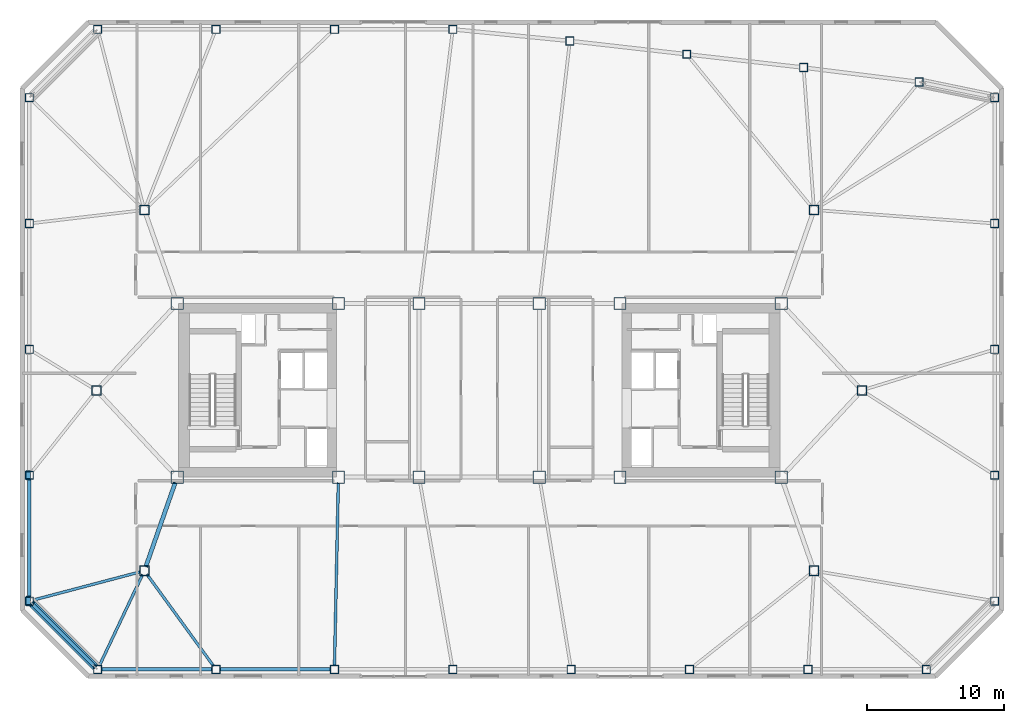
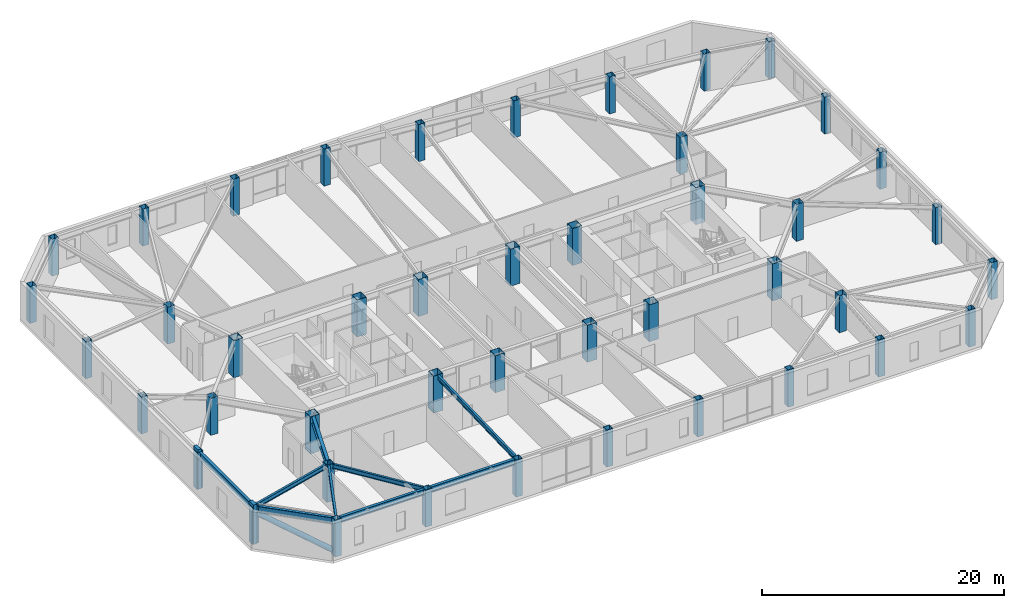
# One storey, part 1 of 18: 44 columns, 9 beams, 3 members.
"""IFC4 building model written with IfcOpenShell, lengths in metres."""

from ifc_helpers import new_model, si_unit, direction, frame, origin, origin_2d, place, context, subcontext, project, spatial, rectangle, hollow_rectangle, hollow_circle, i_section, extrude, material, material_profile, profile_set, type_object, element, save


model = new_model("IFC4")

# Units and contexts
model_context = context("Model", 3, precision=1e-05, world=origin(), true_north=direction((0.0, 1.0)))
body_context = subcontext(model_context, "Body", "Model", "MODEL_VIEW")
ifc_project = project(units=[si_unit("LENGTHUNIT", "METRE"), si_unit("AREAUNIT", "SQUARE_METRE"), si_unit("VOLUMEUNIT", "CUBIC_METRE"), si_unit("PLANEANGLEUNIT", "RADIAN"), si_unit("MASSUNIT", "GRAM", prefix="KILO")], contexts=[model_context])

# Site, building, storey
site_placement = place(None, origin())
site = spatial("IfcSite", under=ifc_project, at=site_placement, CompositionType="ELEMENT")
building_placement = place(site_placement, origin())
building = spatial("IfcBuilding", under=site, at=building_placement, Name="Tavrogorsk Clinical Tower", CompositionType="ELEMENT")
storey_placement = place(building_placement, frame((0.0, 0.0, 192.199951171875)))
storey = spatial("IfcBuildingStorey", under=building, at=storey_placement, Name="L44", CompositionType="ELEMENT", Elevation=192.199951171875)

# Columns
ifc_material_1 = material(Name="Structural steel S440", Category="steel")
ifc_material_profile_1 = material_profile(ifc_material_1, hollow_rectangle(XDim=0.699951171875, YDim=0.699951171875, WallThickness=0.031982421875, at=origin_2d()), Name="BOX-700x700x32")
ifc_profile_set_1 = profile_set([ifc_material_profile_1], Name="Structural steel S440")
column_type_1 = type_object("IfcColumnType", Name="MegaCol_BOX700", PredefinedType="COLUMN", material=ifc_profile_set_1)
for number, where, z_axis, x_axis, name in (
    (1, (-24.5, -13.199951171875, 0.0), (0.0, 0.0, 1.0), (1.0, 0.0, 0.0), "L44 Spine Pilotis Column MC-P1"),
    (2, (24.5, -13.199951171875, 0.0), (0.0, 0.0, 1.0), (1.0, 0.0, 0.0), "L44 Spine Pilotis Column MC-P2"),
    (3, (-24.5, 13.199951171875, 0.0), (0.0, 0.0, 1.0), (1.0, 0.0, 0.0), "L44 Spine Pilotis Column MC-P3"),
    (4, (24.5, 13.199951171875, 0.0), (0.0, 0.0, 1.0), (1.0, 0.0, 0.0), "L44 Spine Pilotis Column MC-P4"),
    (5, (-28.0, 0.0, 0.0), (0.0, 0.0, 1.0), (1.0, 0.0, 0.0), "L44 Spine Pilotis Column MC-P5"),
    (6, (28.0, 0.0, 0.0), (0.0, 0.0, 1.0), (1.0, 0.0, 0.0), "L44 Spine Pilotis Column MC-P6"),
):
    element("IfcColumn", number, at=place(storey_placement, frame(where, z_axis=z_axis, x_axis=x_axis)), inside=storey, type_object=column_type_1, Name=name, PredefinedType="COLUMN", context=body_context, shape_type="SweptSolid", body=[
        extrude(hollow_rectangle(XDim=0.699951171875, YDim=0.699951171875, WallThickness=0.031982421875, at=origin_2d()), origin(), (0.0, 0.0, 1.0), 3.739990234375),
    ])
ifc_material_2 = material(Name="Structural steel S440", Category="steel")
ifc_material_profile_2 = material_profile(ifc_material_2, hollow_rectangle(XDim=0.89990234375, YDim=0.89990234375, WallThickness=0.0400390625, at=origin_2d()), Name="BOX-900x900x40")
ifc_profile_set_2 = profile_set([ifc_material_profile_2], Name="Structural steel S440")
column_type_2 = type_object("IfcColumnType", Name="MegaCol_BOX900", PredefinedType="COLUMN", material=ifc_profile_set_2)
for number, where, z_axis, x_axis, name in (
    (7, (-22.10009765625, -6.35009765625, 0.0), (0.0, 0.0, 1.0), (1.0, 0.0, 0.0), "L44 Mega Column MC-W1"),
    (8, (-22.10009765625, 6.35009765625, 0.0), (0.0, 0.0, 1.0), (1.0, 0.0, 0.0), "L44 Mega Column MC-W2"),
    (9, (-10.300048828125, -6.35009765625, 0.0), (0.0, 0.0, 1.0), (1.0, 0.0, 0.0), "L44 Mega Column MC-W3"),
    (10, (-10.300048828125, 6.35009765625, 0.0), (0.0, 0.0, 1.0), (1.0, 0.0, 0.0), "L44 Mega Column MC-W4"),
    (11, (10.300048828125, -6.35009765625, 0.0), (0.0, 0.0, 1.0), (1.0, 0.0, 0.0), "L44 Mega Column MC-E1"),
    (12, (10.300048828125, 6.35009765625, 0.0), (0.0, 0.0, 1.0), (1.0, 0.0, 0.0), "L44 Mega Column MC-E2"),
    (13, (22.10009765625, -6.35009765625, 0.0), (0.0, 0.0, 1.0), (1.0, 0.0, 0.0), "L44 Mega Column MC-E3"),
    (14, (22.10009765625, 6.35009765625, 0.0), (0.0, 0.0, 1.0), (1.0, 0.0, 0.0), "L44 Mega Column MC-E4"),
    (15, (-4.39990234375, -6.35009765625, 0.0), (0.0, 0.0, 1.0), (1.0, 0.0, 0.0), "L44 Mega Column MC-C1"),
    (16, (4.39990234375, -6.35009765625, 0.0), (0.0, 0.0, 1.0), (1.0, 0.0, 0.0), "L44 Mega Column MC-C2"),
    (17, (-4.39990234375, 6.35009765625, 0.0), (0.0, 0.0, 1.0), (1.0, 0.0, 0.0), "L44 Mega Column MC-C3"),
    (18, (4.39990234375, 6.35009765625, 0.0), (0.0, 0.0, 1.0), (1.0, 0.0, 0.0), "L44 Mega Column MC-C4"),
):
    element("IfcColumn", number, at=place(storey_placement, frame(where, z_axis=z_axis, x_axis=x_axis)), inside=storey, type_object=column_type_2, Name=name, PredefinedType="COLUMN", context=body_context, shape_type="SweptSolid", body=[
        extrude(hollow_rectangle(XDim=0.89990234375, YDim=0.89990234375, WallThickness=0.0400390625, at=origin_2d()), origin(), (0.0, 0.0, 1.0), 3.739990234375),
    ])
ifc_material_3 = material(Name="Structural steel S440", Category="steel")
ifc_material_profile_3 = material_profile(ifc_material_3, hollow_rectangle(XDim=0.60009765625, YDim=0.60009765625, WallThickness=0.028076171875, at=origin_2d()), Name="BOX-600x600x28")
ifc_profile_set_3 = profile_set([ifc_material_profile_3], Name="Structural steel S440")
column_type_3 = type_object("IfcColumnType", Name="PerimCol_B3_BOX600", PredefinedType="COLUMN", material=ifc_profile_set_3)
for number, where, z_axis, x_axis, name in (
    (19, (-27.919921875, -20.419921875, 0.0), (0.0, 0.0, 1.0), (1.0, 0.0, 0.0), "L44 Perimeter Column S1"),
    (20, (-19.257080078125, -20.419921875, 0.0), (0.0, 0.0, 1.0), (1.0, 0.0, 0.0), "L44 Perimeter Column S2"),
    (21, (-10.59423828125, -20.419921875, 0.0), (0.0, 0.0, 1.0), (1.0, 0.0, 0.0), "L44 Perimeter Column S3"),
    (22, (-1.931396484375, -20.419921875, 0.0), (0.0, 0.0, 1.0), (1.0, 0.0, 0.0), "L44 Perimeter Column S4"),
    (23, (6.7314453125, -20.419921875, 0.0), (0.0, 0.0, 1.0), (1.0, 0.0, 0.0), "L44 Perimeter Column S5"),
    (24, (15.394287109375, -20.419921875, 0.0), (0.0, 0.0, 1.0), (1.0, 0.0, 0.0), "L44 Perimeter Column S6"),
    (25, (24.05712890625, -20.419921875, 0.0), (0.0, 0.0, 1.0), (1.0, 0.0, 0.0), "L44 Perimeter Column S7"),
    (26, (32.719970703125, -20.419921875, 0.0), (0.0, 0.0, 1.0), (1.0, 0.0, 0.0), "L44 Perimeter Column S8"),
    (27, (32.19140625, 22.56591796875, 0.0), (0.0, 0.0, 1.0), (1.0, 0.0, 0.0), "L44 Perimeter Column N1"),
    (28, (23.73779296875, 23.617919921875, 0.0), (0.0, 0.0, 1.0), (1.0, 0.0, 0.0), "L44 Perimeter Column N2"),
    (29, (15.18603515625, 24.59228515625, 0.0), (0.0, 0.0, 1.0), (1.0, 0.0, 0.0), "L44 Perimeter Column N3"),
    (30, (6.63427734375, 25.566650390625, 0.0), (0.0, 0.0, 1.0), (1.0, 0.0, 0.0), "L44 Perimeter Column N4"),
    (31, (-1.931396484375, 26.419921875, 0.0), (0.0, 0.0, 1.0), (1.0, 0.0, 0.0), "L44 Perimeter Column N5"),
    (32, (-10.59423828125, 26.419921875, 0.0), (0.0, 0.0, 1.0), (1.0, 0.0, 0.0), "L44 Perimeter Column N6"),
    (33, (-19.257080078125, 26.419921875, 0.0), (0.0, 0.0, 1.0), (1.0, 0.0, 0.0), "L44 Perimeter Column N7"),
    (34, (-27.919921875, 26.419921875, 0.0), (0.0, 0.0, 1.0), (1.0, 0.0, 0.0), "L44 Perimeter Column N8"),
    (35, (37.719970703125, -15.419921875, 0.0), (0.0, 0.0, 1.0), (1.0, 0.0, 0.0), "L44 Perimeter Column E1"),
    (36, (37.719970703125, -6.2099609375, 0.0), (0.0, 0.0, 1.0), (1.0, 0.0, 0.0), "L44 Perimeter Column E2"),
    (37, (37.719970703125, 3.0, 0.0), (0.0, 0.0, 1.0), (1.0, 0.0, 0.0), "L44 Perimeter Column E3"),
    (38, (37.719970703125, 12.2099609375, 0.0), (0.0, 0.0, 1.0), (1.0, 0.0, 0.0), "L44 Perimeter Column E4"),
    (39, (37.719970703125, 21.419921875, 0.0), (0.0, 0.0, 1.0), (1.0, 0.0, 0.0), "L44 Perimeter Column E5"),
    (40, (-32.919921875, 21.419921875, 0.0), (0.0, 0.0, 1.0), (1.0, 0.0, 0.0), "L44 Perimeter Column W1"),
    (41, (-32.919921875, 12.2099609375, 0.0), (0.0, 0.0, 1.0), (1.0, 0.0, 0.0), "L44 Perimeter Column W2"),
    (42, (-32.919921875, 3.0, 0.0), (0.0, 0.0, 1.0), (1.0, 0.0, 0.0), "L44 Perimeter Column W3"),
    (43, (-32.919921875, -6.2099609375, 0.0), (0.0, 0.0, 1.0), (1.0, 0.0, 0.0), "L44 Perimeter Column W4"),
    (44, (-32.919921875, -15.419921875, 0.0), (0.0, 0.0, 1.0), (1.0, 0.0, 0.0), "L44 Perimeter Column W5"),
):
    element("IfcColumn", number, at=place(storey_placement, frame(where, z_axis=z_axis, x_axis=x_axis)), inside=storey, type_object=column_type_3, Name=name, PredefinedType="COLUMN", context=body_context, shape_type="SweptSolid", body=[
        extrude(hollow_rectangle(XDim=0.60009765625, YDim=0.60009765625, WallThickness=0.028076171875, at=origin_2d()), origin(), (0.0, 0.0, 1.0), 3.739990234375),
    ])

# Member
ifc_material_4 = material(Name="Structural steel S440", Category="steel")
ifc_material_profile_4 = material_profile(ifc_material_4, hollow_circle(Radius=0.25390625, WallThickness=0.02001953125, at=origin_2d()), Name="CHS-508x20")
ifc_profile_set_4 = profile_set([ifc_material_profile_4], Name="Structural steel S440")
member_type_1 = type_object("IfcMemberType", Name="ExoBrace_CHS508", PredefinedType="BRACE", material=ifc_profile_set_4)
member_placement = place(storey_placement, frame((-28.12255859375, -20.217529296875, 0.4130859375), z_axis=(-0.657758524103, 0.657758524103, 0.367025132572), x_axis=(-0.707106781187, -0.707106781187, 0.0)))
element("IfcMember", 45, at=member_placement, inside=storey, type_object=member_type_1, Name="L44 Corner Exoskeleton Brace W5-S1", PredefinedType="BRACE", context=body_context, shape_type="SweptSolid", body=[
    extrude(hollow_circle(Radius=0.25390625, WallThickness=0.02001953125, at=origin_2d()), origin(), (0.0, 0.0, 1.0), 6.98583984375),
])

# Beams
ifc_material_5 = material(Name="Structural steel S355", Category="steel")
ifc_material_profile_5 = material_profile(ifc_material_5, i_section(OverallWidth=0.199951171875, OverallDepth=0.449951171875, WebThickness=0.011474609375, FlangeThickness=0.01806640625, at=origin_2d()), Name="B-450x200x11.5x18")
ifc_profile_set_5 = profile_set([ifc_material_profile_5], Name="Structural steel S355")
beam_type_1 = type_object("IfcBeamType", Name="FloorBeam_B450", PredefinedType="BEAM", material=ifc_profile_set_5)
beam_1_placement = place(storey_placement, frame((-24.6328125, -13.480224609375, 3.51513671875), z_axis=(-0.428073530385, -0.90374390874, 0.0), x_axis=(0.90374390874, -0.428073530385, 0.0)))
element("IfcBeam", 46, at=beam_1_placement, inside=storey, type_object=beam_type_1, Name="L44 Radial Floor Beam S1", PredefinedType="BEAM", context=body_context, shape_type="SweptSolid", body=[
    extrude(i_section(OverallWidth=0.199951171875, OverallDepth=0.449951171875, WebThickness=0.011474609375, FlangeThickness=0.01806640625, at=origin_2d()), origin(), (0.0, 0.0, 1.0), 7.370849609375),
])
beam_2_placement = place(storey_placement, frame((-24.31787109375, -13.450927734375, 3.51513671875), z_axis=(0.587591229638, -0.809157924544, 0.0), x_axis=(0.809157924544, 0.587591229638, 0.0)))
element("IfcBeam", 47, at=beam_2_placement, inside=storey, type_object=beam_type_1, Name="L44 Radial Floor Beam S2", PredefinedType="BEAM", context=body_context, shape_type="SweptSolid", body=[
    extrude(i_section(OverallWidth=0.199951171875, OverallDepth=0.449951171875, WebThickness=0.011474609375, FlangeThickness=0.01806640625, at=origin_2d()), origin(), (0.0, 0.0, 1.0), 8.304931640625),
])
beam_3_placement = place(storey_placement, frame((-10.30859375, -6.760009765625, 3.51513671875), z_axis=(-0.020913325994, -0.999781292481, 0.0), x_axis=(0.999781292481, -0.020913325994, 0.0)))
element("IfcBeam", 48, at=beam_3_placement, inside=storey, type_object=beam_type_1, Name="L44 Radial Floor Beam S3", PredefinedType="BEAM", context=body_context, shape_type="SweptSolid", body=[
    extrude(i_section(OverallWidth=0.199951171875, OverallDepth=0.449951171875, WebThickness=0.011474609375, FlangeThickness=0.01806640625, at=origin_2d()), origin(), (0.0, 0.0, 1.0), 13.35498046875),
])
beam_4_placement = place(storey_placement, frame((-24.7998046875, -13.279052734375, 3.51513671875), z_axis=(-0.966952457073, -0.254956752726, 0.0), x_axis=(0.254956752726, -0.966952457073, 0.0)))
element("IfcBeam", 49, at=beam_4_placement, inside=storey, type_object=beam_type_1, Name="L44 Radial Floor Beam W5", PredefinedType="BEAM", context=body_context, shape_type="SweptSolid", body=[
    extrude(i_section(OverallWidth=0.199951171875, OverallDepth=0.449951171875, WebThickness=0.011474609375, FlangeThickness=0.01806640625, at=origin_2d()), origin(), (0.0, 0.0, 1.0), 8.089599609375),
])

# Members
ifc_material_6 = material(Name="Precast concrete B45 with limestone cladding", Category="masonry")
ifc_material_profile_6 = material_profile(ifc_material_6, rectangle(XDim=0.320068359375, YDim=0.719970703125, at=origin_2d()), Name="LIMESTONE-FIN-320x720")
ifc_profile_set_6 = profile_set([ifc_material_profile_6], Name="Precast concrete B45 with limestone cladding")
member_type_2 = type_object("IfcMemberType", Name="LimestonePleatFin_320x720", PredefinedType="USERDEFINED", material=ifc_profile_set_6)
for number, where, z_axis, x_axis, name in (
    (50, (-33.0, -6.2099609375, 0.0), (0.0, 0.0, 1.0), (1.0, 0.0, 0.0), "L44 W Pleated Stone Fin 3"),
    (51, (-33.0, -15.419921875, 0.0), (0.0, 0.0, 1.0), (1.0, 0.0, 0.0), "L44 W Pleated Stone Fin 4"),
):
    element("IfcMember", number, at=place(storey_placement, frame(where, z_axis=z_axis, x_axis=x_axis)), inside=storey, type_object=member_type_2, Name=name, ObjectType="FIN", PredefinedType="USERDEFINED", context=body_context, shape_type="SweptSolid", body=[
        extrude(rectangle(XDim=0.320068359375, YDim=0.719970703125, at=origin_2d()), origin(), (0.0, 0.0, 1.0), 4.0),
    ])

# Beams
ifc_material_7 = material(Name="Structural steel S390", Category="steel")
ifc_material_profile_7 = material_profile(ifc_material_7, i_section(OverallWidth=0.300048828125, OverallDepth=0.699951171875, WebThickness=0.01708984375, FlangeThickness=0.028076171875, at=origin_2d()), Name="B-700x300x17x28")
ifc_profile_set_7 = profile_set([ifc_material_profile_7], Name="Structural steel S390")
beam_type_2 = type_object("IfcBeamType", Name="PrimaryGirder_B700", PredefinedType="USERDEFINED", material=ifc_profile_set_7)
beam_5_placement = place(storey_placement, frame((-24.3974609375, -12.907470703125, 3.39013671875), z_axis=(0.33065312634, 0.94375235631, 0.0), x_axis=(-0.94375235631, 0.33065312634, 0.0)))
element("IfcBeam", 52, at=beam_5_placement, inside=storey, type_object=beam_type_2, Name="L44 Spine Link Girder OPG-1", ObjectType="GIRDER", PredefinedType="USERDEFINED", context=body_context, shape_type="SweptSolid", body=[
    extrude(i_section(OverallWidth=0.300048828125, OverallDepth=0.699951171875, WebThickness=0.01708984375, FlangeThickness=0.028076171875, at=origin_2d()), origin(), (0.0, 0.0, 1.0), 6.5380859375),
])
ifc_material_8 = material(Name="Structural steel S390", Category="steel")
ifc_material_profile_8 = material_profile(ifc_material_8, i_section(OverallWidth=0.260009765625, OverallDepth=0.60009765625, WebThickness=0.014892578125, FlangeThickness=0.02392578125, at=origin_2d()), Name="B-600x260x15x24")
ifc_profile_set_8 = profile_set([ifc_material_profile_8], Name="Structural steel S390")
beam_type_3 = type_object("IfcBeamType", Name="SpandrelBeam_B600", PredefinedType="SPANDREL", material=ifc_profile_set_8)
for number, where, z_axis, x_axis, name in (
    (53, (-27.612060546875, -20.419921875, 3.43994140625), (1.0, 0.0, 0.0), (0.0, 1.0, 0.0), "L44 Perimeter Spandrel S1-S2"),
    (54, (-18.94921875, -20.419921875, 3.43994140625), (1.0, 0.0, 0.0), (0.0, 1.0, 0.0), "L44 Perimeter Spandrel S2-S3"),
):
    element("IfcBeam", number, at=place(storey_placement, frame(where, z_axis=z_axis, x_axis=x_axis)), inside=storey, type_object=beam_type_3, Name=name, PredefinedType="SPANDREL", context=body_context, shape_type="SweptSolid", body=[
        extrude(i_section(OverallWidth=0.260009765625, OverallDepth=0.60009765625, WebThickness=0.014892578125, FlangeThickness=0.02392578125, at=origin_2d()), origin(), (0.0, 0.0, 1.0), 8.046875),
    ])
beam_6_placement = place(storey_placement, frame((-32.919921875, -6.51806640625, 3.43994140625), z_axis=(0.0, -1.0, 0.0), x_axis=(1.0, 0.0, 0.0)))
element("IfcBeam", 55, at=beam_6_placement, inside=storey, type_object=beam_type_3, Name="L44 Perimeter Spandrel W4-W5", PredefinedType="SPANDREL", context=body_context, shape_type="SweptSolid", body=[
    extrude(i_section(OverallWidth=0.260009765625, OverallDepth=0.60009765625, WebThickness=0.014892578125, FlangeThickness=0.02392578125, at=origin_2d()), origin(), (0.0, 0.0, 1.0), 8.593994140625),
])
beam_7_placement = place(storey_placement, frame((-32.7021484375, -15.6376953125, 3.43994140625), z_axis=(0.707106781187, -0.707106781187, 0.0), x_axis=(0.707106781187, 0.707106781187, 0.0)))
element("IfcBeam", 56, at=beam_7_placement, inside=storey, type_object=beam_type_3, Name="L44 Perimeter Spandrel W5-S1", PredefinedType="SPANDREL", context=body_context, shape_type="SweptSolid", body=[
    extrude(i_section(OverallWidth=0.260009765625, OverallDepth=0.60009765625, WebThickness=0.014892578125, FlangeThickness=0.02392578125, at=origin_2d()), origin(), (0.0, 0.0, 1.0), 6.455078125),
])

save(model, "model.ifc")
